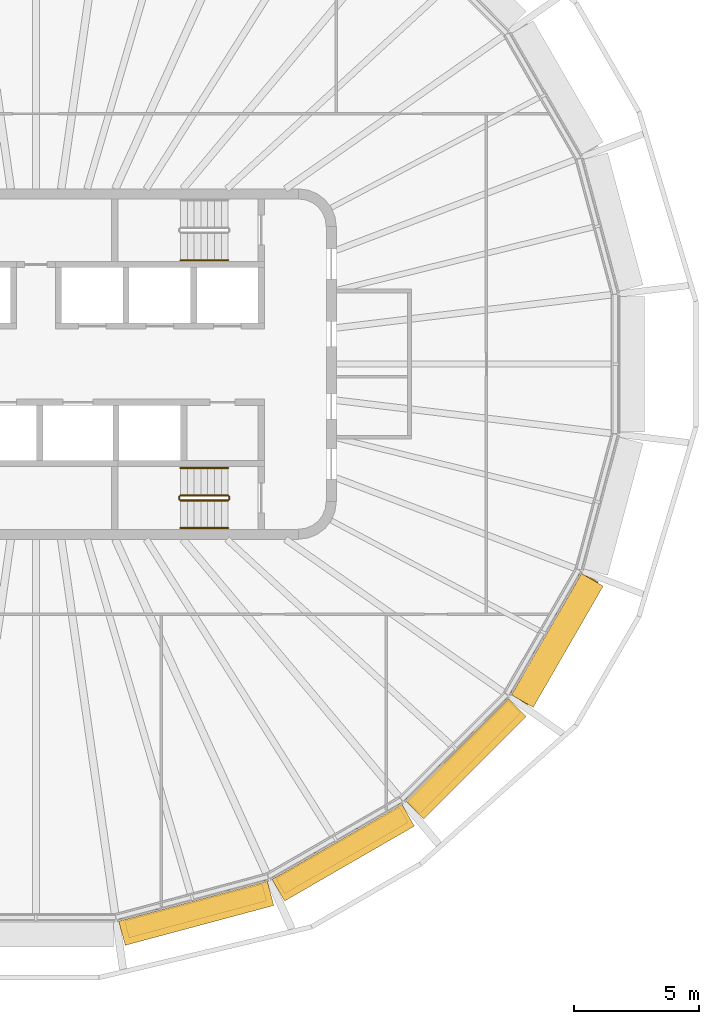
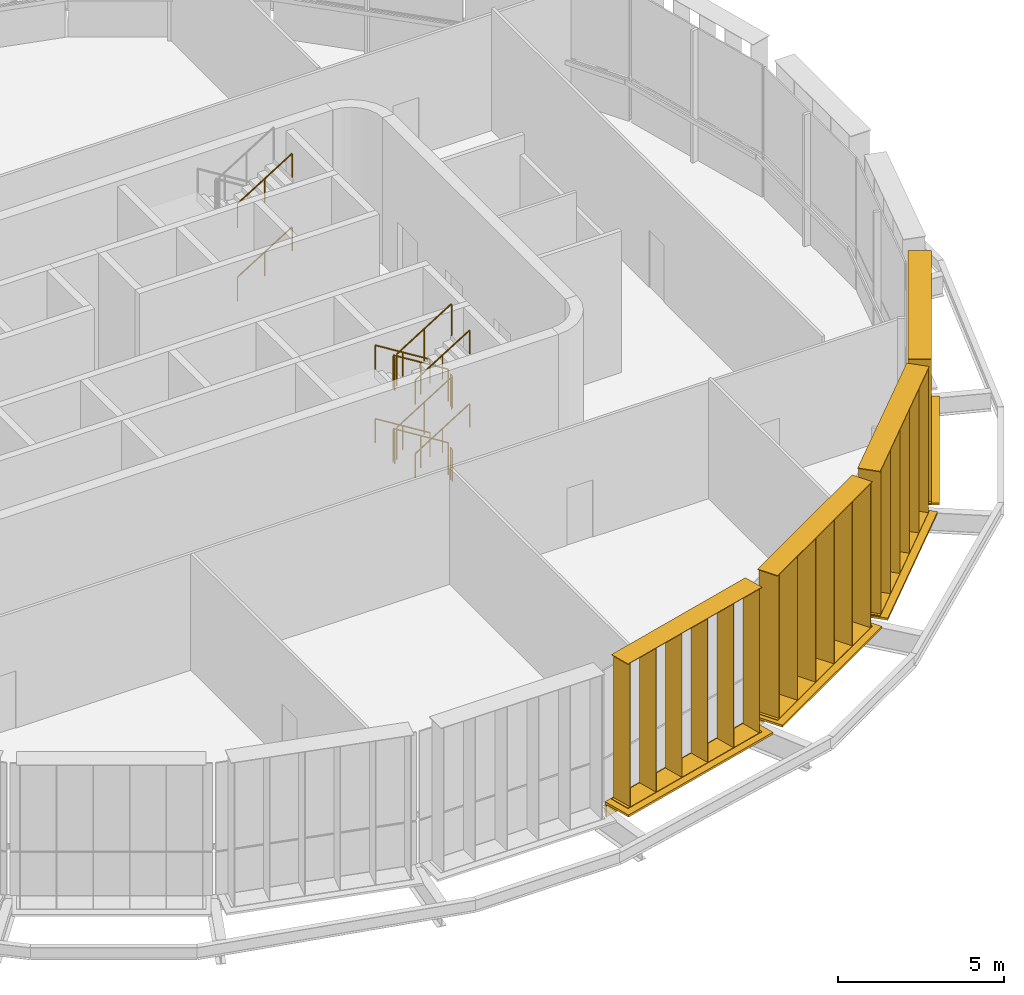
# One storey, part 14 of 16: 14 railings, 8 shading devices.
"""IFC4 building model written with IfcOpenShell, lengths in metres."""

from ifc_helpers import new_model, si_unit, direction, frame, origin, origin_2d, place, context, subcontext, project, spatial, rectangle, circle, extrude, material, type_object, element, save


model = new_model("IFC4")

# Units and contexts
model_context = context("Model", 3, precision=1e-05, world=origin(), true_north=direction((0.0, 1.0)))
body_context = subcontext(model_context, "Body", "Model", "MODEL_VIEW")
ifc_project = project(units=[si_unit("LENGTHUNIT", "METRE"), si_unit("AREAUNIT", "SQUARE_METRE"), si_unit("VOLUMEUNIT", "CUBIC_METRE"), si_unit("PLANEANGLEUNIT", "RADIAN"), si_unit("MASSUNIT", "GRAM", prefix="KILO")], contexts=[model_context])

# Site, building, storey
site_placement = place(None, origin())
site = spatial("IfcSite", under=ifc_project, at=site_placement, CompositionType="ELEMENT")
building_placement = place(site_placement, origin())
building = spatial("IfcBuilding", under=site, at=building_placement, Name="Sahrelin Media Tower", CompositionType="ELEMENT")
storey_placement = place(building_placement, frame((0.0, 0.0, 324.39990234375)))
storey = spatial("IfcBuildingStorey", under=building, at=storey_placement, Name="L72", CompositionType="ELEMENT", Elevation=324.39990234375)

# Shading devices
ifc_material_1 = material(Name="Champagne anodised aluminium 6063-T6", Category="aluminium")
shading_device_type_1 = type_object("IfcShadingDeviceType", Name="Fin cassette", PredefinedType="USERDEFINED", material=ifc_material_1)
placement_1 = place(storey_placement, frame((6.270751953125, -21.447021484375, 0.0), z_axis=(0.0, 0.0, 1.0), x_axis=(-0.965928857556, -0.258807731996, 0.0)))
element("IfcShadingDevice", 1, at=placement_1, inside=storey, type_object=shading_device_type_1, Name="L72:FIN:L72-19", ObjectType="FIN", PredefinedType="USERDEFINED", context=body_context, shape_type="SweptSolid", body=[
    extrude(rectangle(XDim=5.699951171875, YDim=0.699951171875, at=origin_2d()), frame((0.0, 0.419921875, 0.0)), (0.0, 0.0, 1.0), 0.02001953125),
    extrude(rectangle(XDim=5.699951171875, YDim=0.699951171875, at=origin_2d()), frame((0.0, 0.419921875, 5.300048828125)), (0.0, 0.0, 1.0), 0.02001953125),
    extrude(rectangle(XDim=0.02001953125, YDim=0.699951171875, at=origin_2d()), frame((-2.75, 0.419921875, 0.010009765625), z_axis=(0.0, 0.0, 1.0), x_axis=(1.0, 0.0, 0.0)), (0.0, 0.0, 1.0), 5.300048828125),
    extrude(rectangle(XDim=0.02001953125, YDim=0.699951171875, at=origin_2d()), frame((-1.64990234375, 0.419921875, 0.010009765625), z_axis=(0.0, 0.0, 1.0), x_axis=(1.0, 0.0, 0.0)), (0.0, 0.0, 1.0), 5.300048828125),
    extrude(rectangle(XDim=0.02001953125, YDim=0.699951171875, at=origin_2d()), frame((-0.550048828125, 0.419921875, 0.010009765625), z_axis=(0.0, 0.0, 1.0), x_axis=(1.0, 0.0, 0.0)), (0.0, 0.0, 1.0), 5.300048828125),
    extrude(rectangle(XDim=0.02001953125, YDim=0.699951171875, at=origin_2d()), frame((0.550048828125, 0.419921875, 0.010009765625), z_axis=(0.0, 0.0, 1.0), x_axis=(1.0, 0.0, 0.0)), (0.0, 0.0, 1.0), 5.300048828125),
    extrude(rectangle(XDim=0.02001953125, YDim=0.699951171875, at=origin_2d()), frame((1.64990234375, 0.419921875, 0.010009765625), z_axis=(0.0, 0.0, 1.0), x_axis=(1.0, 0.0, 0.0)), (0.0, 0.0, 1.0), 5.300048828125),
    extrude(rectangle(XDim=0.02001953125, YDim=0.699951171875, at=origin_2d()), frame((2.75, 0.419921875, 0.010009765625), z_axis=(0.0, 0.0, 1.0), x_axis=(1.0, 0.0, 0.0)), (0.0, 0.0, 1.0), 5.300048828125),
])
placement_2 = place(storey_placement, frame((12.01904296875, -19.0771484375, 0.0), z_axis=(0.0, 0.0, 1.0), x_axis=(-0.866019052629, -0.500011000363, 0.0)))
element("IfcShadingDevice", 2, at=placement_2, inside=storey, type_object=shading_device_type_1, Name="L72:FIN:L72-20", ObjectType="FIN", PredefinedType="USERDEFINED", context=body_context, shape_type="SweptSolid", body=[
    extrude(rectangle(XDim=5.699951171875, YDim=0.699951171875, at=origin_2d()), frame((0.0, 0.419921875, 0.0)), (0.0, 0.0, 1.0), 0.02001953125),
    extrude(rectangle(XDim=5.699951171875, YDim=0.699951171875, at=origin_2d()), frame((0.0, 0.419921875, 5.300048828125)), (0.0, 0.0, 1.0), 0.02001953125),
    extrude(rectangle(XDim=0.02001953125, YDim=0.699951171875, at=origin_2d()), frame((-2.75, 0.419921875, 0.010009765625), z_axis=(0.0, 0.0, 1.0), x_axis=(1.0, 0.0, 0.0)), (0.0, 0.0, 1.0), 5.300048828125),
    extrude(rectangle(XDim=0.02001953125, YDim=0.699951171875, at=origin_2d()), frame((-1.64990234375, 0.419921875, 0.010009765625), z_axis=(0.0, 0.0, 1.0), x_axis=(1.0, 0.0, 0.0)), (0.0, 0.0, 1.0), 5.300048828125),
    extrude(rectangle(XDim=0.02001953125, YDim=0.699951171875, at=origin_2d()), frame((-0.550048828125, 0.419921875, 0.010009765625), z_axis=(0.0, 0.0, 1.0), x_axis=(1.0, 0.0, 0.0)), (0.0, 0.0, 1.0), 5.300048828125),
    extrude(rectangle(XDim=0.02001953125, YDim=0.699951171875, at=origin_2d()), frame((0.550048828125, 0.419921875, 0.010009765625), z_axis=(0.0, 0.0, 1.0), x_axis=(1.0, 0.0, 0.0)), (0.0, 0.0, 1.0), 5.300048828125),
    extrude(rectangle(XDim=0.02001953125, YDim=0.699951171875, at=origin_2d()), frame((1.64990234375, 0.419921875, 0.010009765625), z_axis=(0.0, 0.0, 1.0), x_axis=(1.0, 0.0, 0.0)), (0.0, 0.0, 1.0), 5.300048828125),
    extrude(rectangle(XDim=0.02001953125, YDim=0.699951171875, at=origin_2d()), frame((2.75, 0.419921875, 0.010009765625), z_axis=(0.0, 0.0, 1.0), x_axis=(1.0, 0.0, 0.0)), (0.0, 0.0, 1.0), 5.300048828125),
])
placement_3 = place(storey_placement, frame((16.818359375, -15.4111328125, 0.0), z_axis=(0.0, 0.0, 1.0), x_axis=(-0.707106781187, -0.707106781187, 0.0)))
element("IfcShadingDevice", 3, at=placement_3, inside=storey, type_object=shading_device_type_1, Name="L72:FIN:L72-21", ObjectType="FIN", PredefinedType="USERDEFINED", context=body_context, shape_type="SweptSolid", body=[
    extrude(rectangle(XDim=5.699951171875, YDim=0.699951171875, at=origin_2d()), frame((0.0, 0.419921875, 0.0)), (0.0, 0.0, 1.0), 0.02001953125),
    extrude(rectangle(XDim=5.699951171875, YDim=0.699951171875, at=origin_2d()), frame((0.0, 0.419921875, 5.300048828125)), (0.0, 0.0, 1.0), 0.02001953125),
    extrude(rectangle(XDim=0.02001953125, YDim=0.699951171875, at=origin_2d()), frame((-2.75, 0.419921875, 0.010009765625), z_axis=(0.0, 0.0, 1.0), x_axis=(1.0, 0.0, 0.0)), (0.0, 0.0, 1.0), 5.300048828125),
    extrude(rectangle(XDim=0.02001953125, YDim=0.699951171875, at=origin_2d()), frame((-1.64990234375, 0.419921875, 0.010009765625), z_axis=(0.0, 0.0, 1.0), x_axis=(1.0, 0.0, 0.0)), (0.0, 0.0, 1.0), 5.300048828125),
    extrude(rectangle(XDim=0.02001953125, YDim=0.699951171875, at=origin_2d()), frame((-0.550048828125, 0.419921875, 0.010009765625), z_axis=(0.0, 0.0, 1.0), x_axis=(1.0, 0.0, 0.0)), (0.0, 0.0, 1.0), 5.300048828125),
    extrude(rectangle(XDim=0.02001953125, YDim=0.699951171875, at=origin_2d()), frame((0.550048828125, 0.419921875, 0.010009765625), z_axis=(0.0, 0.0, 1.0), x_axis=(1.0, 0.0, 0.0)), (0.0, 0.0, 1.0), 5.300048828125),
    extrude(rectangle(XDim=0.02001953125, YDim=0.699951171875, at=origin_2d()), frame((1.64990234375, 0.419921875, 0.010009765625), z_axis=(0.0, 0.0, 1.0), x_axis=(1.0, 0.0, 0.0)), (0.0, 0.0, 1.0), 5.300048828125),
    extrude(rectangle(XDim=0.02001953125, YDim=0.699951171875, at=origin_2d()), frame((2.75, 0.419921875, 0.010009765625), z_axis=(0.0, 0.0, 1.0), x_axis=(1.0, 0.0, 0.0)), (0.0, 0.0, 1.0), 5.300048828125),
])
placement_4 = place(storey_placement, frame((20.385009765625, -10.78369140625, 0.0), z_axis=(0.0, 0.0, 1.0), x_axis=(-0.500011000363, -0.866019052629, 0.0)))
element("IfcShadingDevice", 4, at=placement_4, inside=storey, type_object=shading_device_type_1, Name="L72:FIN:L72-22", ObjectType="FIN", PredefinedType="USERDEFINED", context=body_context, shape_type="SweptSolid", body=[
    extrude(rectangle(XDim=5.699951171875, YDim=0.699951171875, at=origin_2d()), frame((0.0, 0.419921875, 0.0)), (0.0, 0.0, 1.0), 0.02001953125),
    extrude(rectangle(XDim=5.699951171875, YDim=0.699951171875, at=origin_2d()), frame((0.0, 0.419921875, 5.300048828125)), (0.0, 0.0, 1.0), 0.02001953125),
    extrude(rectangle(XDim=0.02001953125, YDim=0.699951171875, at=origin_2d()), frame((-2.75, 0.419921875, 0.010009765625), z_axis=(0.0, 0.0, 1.0), x_axis=(1.0, 0.0, 0.0)), (0.0, 0.0, 1.0), 5.300048828125),
    extrude(rectangle(XDim=0.02001953125, YDim=0.699951171875, at=origin_2d()), frame((-1.64990234375, 0.419921875, 0.010009765625), z_axis=(0.0, 0.0, 1.0), x_axis=(1.0, 0.0, 0.0)), (0.0, 0.0, 1.0), 5.300048828125),
    extrude(rectangle(XDim=0.02001953125, YDim=0.699951171875, at=origin_2d()), frame((-0.550048828125, 0.419921875, 0.010009765625), z_axis=(0.0, 0.0, 1.0), x_axis=(1.0, 0.0, 0.0)), (0.0, 0.0, 1.0), 5.300048828125),
    extrude(rectangle(XDim=0.02001953125, YDim=0.699951171875, at=origin_2d()), frame((0.550048828125, 0.419921875, 0.010009765625), z_axis=(0.0, 0.0, 1.0), x_axis=(1.0, 0.0, 0.0)), (0.0, 0.0, 1.0), 5.300048828125),
    extrude(rectangle(XDim=0.02001953125, YDim=0.699951171875, at=origin_2d()), frame((1.64990234375, 0.419921875, 0.010009765625), z_axis=(0.0, 0.0, 1.0), x_axis=(1.0, 0.0, 0.0)), (0.0, 0.0, 1.0), 5.300048828125),
    extrude(rectangle(XDim=0.02001953125, YDim=0.699951171875, at=origin_2d()), frame((2.75, 0.419921875, 0.010009765625), z_axis=(0.0, 0.0, 1.0), x_axis=(1.0, 0.0, 0.0)), (0.0, 0.0, 1.0), 5.300048828125),
])

# Railings
ifc_material_2 = material(Name="Steel S355", Category="steel")
railing_type_1 = type_object("IfcRailingType", Name="Stair guard 1200", PredefinedType="GUARDRAIL", material=ifc_material_2)
railing_1_placement = place(storey_placement, frame((7.675048828125, -5.25, 0.1689453125)))
element("IfcRailing", 5, at=railing_1_placement, inside=storey, type_object=railing_type_1, Name="L72 ST2 stair guard 1", PredefinedType="GUARDRAIL", context=body_context, shape_type="SweptSolid", body=[
    extrude(circle(Radius=0.02392578125, at=origin_2d()), frame((0.0, 0.0, 1.17578125), z_axis=(-0.849289292259, 0.0, 0.527927739425), x_axis=(0.0, -1.0, 0.0)), (0.0, 0.0, 1.0), 2.2373046875),
    extrude(circle(Radius=0.02099609375, at=origin_2d()), origin(), (0.0, 0.0, 1.0), 1.15185546875),
    extrude(circle(Radius=0.02099609375, at=origin_2d()), frame((-0.9501953125, 0.0, 0.590576171875)), (0.0, 0.0, 1.0), 1.15185546875),
    extrude(circle(Radius=0.02099609375, at=origin_2d()), frame((-1.900146484375, 0.0, 1.18115234375)), (0.0, 0.0, 1.0), 1.15185546875),
])
railing_2_placement = place(storey_placement, frame((5.72509765625, -5.300048828125, 1.35009765625)))
element("IfcRailing", 6, at=railing_2_placement, inside=storey, type_object=railing_type_1, Name="L72 ST2 stair guard 2", PredefinedType="GUARDRAIL", context=body_context, shape_type="SweptSolid", body=[
    extrude(circle(Radius=0.02392578125, at=origin_2d()), frame((0.0, 0.0, 1.17578125), z_axis=(0.0, -1.0, 0.0), x_axis=(1.0, 0.0, 0.0)), (0.0, 0.0, 1.0), 0.099853515625),
    extrude(circle(Radius=0.02099609375, at=origin_2d()), origin(), (0.0, 0.0, 1.0), 1.15185546875),
    extrude(circle(Radius=0.02099609375, at=origin_2d()), frame((0.0, -0.099853515625, 0.0)), (0.0, 0.0, 1.0), 1.15185546875),
])
railing_3_placement = place(storey_placement, frame((5.77490234375, -5.449951171875, 1.518798828125)))
element("IfcRailing", 7, at=railing_3_placement, inside=storey, type_object=railing_type_1, Name="L72 ST2 stair guard 3", PredefinedType="GUARDRAIL", context=body_context, shape_type="SweptSolid", body=[
    extrude(circle(Radius=0.02392578125, at=origin_2d()), frame((0.0, 0.0, 1.17578125), z_axis=(0.849240365539, 0.0, 0.528006440812), x_axis=(0.0, 1.0, 0.0)), (0.0, 0.0, 1.0), 2.237548828125),
    extrude(circle(Radius=0.02099609375, at=origin_2d()), origin(), (0.0, 0.0, 1.0), 1.15185546875),
    extrude(circle(Radius=0.02099609375, at=origin_2d()), frame((0.9501953125, 0.0, 0.5908203125)), (0.0, 0.0, 1.0), 1.15185546875),
    extrude(circle(Radius=0.02099609375, at=origin_2d()), frame((1.900146484375, 0.0, 1.181396484375)), (0.0, 0.0, 1.0), 1.15185546875),
])
railing_4_placement = place(storey_placement, frame((7.72509765625, -5.300048828125, 2.7001953125)))
element("IfcRailing", 8, at=railing_4_placement, inside=storey, type_object=railing_type_1, Name="L72 ST2 stair guard 4", PredefinedType="GUARDRAIL", context=body_context, shape_type="SweptSolid", body=[
    extrude(circle(Radius=0.02392578125, at=origin_2d()), frame((0.0, 0.0, 1.17578125), z_axis=(0.0, -1.0, 0.0), x_axis=(1.0, 0.0, 0.0)), (0.0, 0.0, 1.0), 0.099853515625),
    extrude(circle(Radius=0.02099609375, at=origin_2d()), origin(), (0.0, 0.0, 1.0), 1.15185546875),
    extrude(circle(Radius=0.02099609375, at=origin_2d()), frame((0.0, -0.099853515625, 0.0)), (0.0, 0.0, 1.0), 1.15185546875),
])
railing_5_placement = place(storey_placement, frame((7.675048828125, -5.25, 2.868896484375)))
element("IfcRailing", 9, at=railing_5_placement, inside=storey, type_object=railing_type_1, Name="L72 ST2 stair guard 5", PredefinedType="GUARDRAIL", context=body_context, shape_type="SweptSolid", body=[
    extrude(circle(Radius=0.02392578125, at=origin_2d()), frame((0.0, 0.0, 1.17578125), z_axis=(-0.849289292259, 0.0, 0.527927739425), x_axis=(0.0, -1.0, 0.0)), (0.0, 0.0, 1.0), 2.2373046875),
    extrude(circle(Radius=0.02099609375, at=origin_2d()), origin(), (0.0, 0.0, 1.0), 1.15185546875),
    extrude(circle(Radius=0.02099609375, at=origin_2d()), frame((-0.9501953125, 0.0, 0.590576171875)), (0.0, 0.0, 1.0), 1.15185546875),
    extrude(circle(Radius=0.02099609375, at=origin_2d()), frame((-1.900146484375, 0.0, 1.18115234375)), (0.0, 0.0, 1.0), 1.15185546875),
])
railing_6_placement = place(storey_placement, frame((5.72509765625, -5.300048828125, 4.050048828125)))
element("IfcRailing", 10, at=railing_6_placement, inside=storey, type_object=railing_type_1, Name="L72 ST2 stair guard 6", PredefinedType="GUARDRAIL", context=body_context, shape_type="SweptSolid", body=[
    extrude(circle(Radius=0.02392578125, at=origin_2d()), frame((0.0, 0.0, 1.17578125), z_axis=(0.0, -1.0, 0.0), x_axis=(1.0, 0.0, 0.0)), (0.0, 0.0, 1.0), 0.099853515625),
    extrude(circle(Radius=0.02099609375, at=origin_2d()), origin(), (0.0, 0.0, 1.0), 1.15185546875),
    extrude(circle(Radius=0.02099609375, at=origin_2d()), frame((0.0, -0.099853515625, 0.0)), (0.0, 0.0, 1.0), 1.15185546875),
])
railing_7_placement = place(storey_placement, frame((5.77490234375, -5.449951171875, 4.21875)))
element("IfcRailing", 11, at=railing_7_placement, inside=storey, type_object=railing_type_1, Name="L72 ST2 stair guard 7", PredefinedType="GUARDRAIL", context=body_context, shape_type="SweptSolid", body=[
    extrude(circle(Radius=0.02392578125, at=origin_2d()), frame((0.0, 0.0, 1.17578125), z_axis=(0.849240365539, 0.0, 0.528006440812), x_axis=(0.0, 1.0, 0.0)), (0.0, 0.0, 1.0), 2.237548828125),
    extrude(circle(Radius=0.02099609375, at=origin_2d()), origin(), (0.0, 0.0, 1.0), 1.15185546875),
    extrude(circle(Radius=0.02099609375, at=origin_2d()), frame((0.9501953125, 0.0, 0.5908203125)), (0.0, 0.0, 1.0), 1.15185546875),
    extrude(circle(Radius=0.02099609375, at=origin_2d()), frame((1.900146484375, 0.0, 1.181396484375)), (0.0, 0.0, 1.0), 1.15185546875),
])
railing_8_placement = place(storey_placement, frame((7.72509765625, -5.300048828125, 0.0)))
element("IfcRailing", 12, at=railing_8_placement, inside=storey, type_object=railing_type_1, Name="L72 ST2 stair guard 8", PredefinedType="GUARDRAIL", context=body_context, shape_type="SweptSolid", body=[
    extrude(circle(Radius=0.02392578125, at=origin_2d()), frame((0.0, 0.0, 1.17578125), z_axis=(0.0, -1.0, 0.0), x_axis=(1.0, 0.0, 0.0)), (0.0, 0.0, 1.0), 0.099853515625),
    extrude(circle(Radius=0.02099609375, at=origin_2d()), origin(), (0.0, 0.0, 1.0), 1.15185546875),
    extrude(circle(Radius=0.02099609375, at=origin_2d()), frame((0.0, -0.099853515625, 0.0)), (0.0, 0.0, 1.0), 1.15185546875),
])
railing_type_2 = type_object("IfcRailingType", Name="Stair handrail 900", PredefinedType="HANDRAIL", material=ifc_material_2)
for number, where, name in (
    (13, (5.77490234375, 4.14990234375, 1.518798828125), "L72 ST3 stair handrail 2"),
    (14, (5.77490234375, 4.14990234375, 4.21875), "L72 ST3 stair handrail 4"),
):
    element("IfcRailing", number, at=place(storey_placement, frame(where)), inside=storey, type_object=railing_type_2, Name=name, PredefinedType="HANDRAIL", context=body_context, shape_type="SweptSolid", body=[
        extrude(circle(Radius=0.02392578125, at=origin_2d()), frame((0.0, 0.0, 0.8759765625), z_axis=(0.849240365539, 0.0, 0.528006440812), x_axis=(0.0, 1.0, 0.0)), (0.0, 0.0, 1.0), 2.237548828125),
        extrude(circle(Radius=0.02099609375, at=origin_2d()), origin(), (0.0, 0.0, 1.0), 0.851806640625),
        extrude(circle(Radius=0.02099609375, at=origin_2d()), frame((0.9501953125, 0.0, 0.5908203125)), (0.0, 0.0, 1.0), 0.851806640625),
        extrude(circle(Radius=0.02099609375, at=origin_2d()), frame((1.900146484375, 0.0, 1.181396484375)), (0.0, 0.0, 1.0), 0.851806640625),
    ])
railing_9_placement = place(storey_placement, frame((7.675048828125, -4.14990234375, 0.1689453125)))
element("IfcRailing", 15, at=railing_9_placement, inside=storey, type_object=railing_type_2, Name="L72 ST2 stair handrail 1", PredefinedType="HANDRAIL", context=body_context, shape_type="SweptSolid", body=[
    extrude(circle(Radius=0.02392578125, at=origin_2d()), frame((0.0, 0.0, 0.8759765625), z_axis=(-0.849289292259, 0.0, 0.527927739425), x_axis=(0.0, -1.0, 0.0)), (0.0, 0.0, 1.0), 2.2373046875),
    extrude(circle(Radius=0.02099609375, at=origin_2d()), origin(), (0.0, 0.0, 1.0), 0.851806640625),
    extrude(circle(Radius=0.02099609375, at=origin_2d()), frame((-0.9501953125, 0.0, 0.590576171875)), (0.0, 0.0, 1.0), 0.851806640625),
    extrude(circle(Radius=0.02099609375, at=origin_2d()), frame((-1.900146484375, 0.0, 1.18115234375)), (0.0, 0.0, 1.0), 0.851806640625),
])
railing_10_placement = place(storey_placement, frame((5.77490234375, -6.550048828125, 1.518798828125)))
element("IfcRailing", 16, at=railing_10_placement, inside=storey, type_object=railing_type_2, Name="L72 ST2 stair handrail 2", PredefinedType="HANDRAIL", context=body_context, shape_type="SweptSolid", body=[
    extrude(circle(Radius=0.02392578125, at=origin_2d()), frame((0.0, 0.0, 0.8759765625), z_axis=(0.849240365539, 0.0, 0.528006440812), x_axis=(0.0, 1.0, 0.0)), (0.0, 0.0, 1.0), 2.237548828125),
    extrude(circle(Radius=0.02099609375, at=origin_2d()), origin(), (0.0, 0.0, 1.0), 0.851806640625),
    extrude(circle(Radius=0.02099609375, at=origin_2d()), frame((0.9501953125, 0.0, 0.5908203125)), (0.0, 0.0, 1.0), 0.851806640625),
    extrude(circle(Radius=0.02099609375, at=origin_2d()), frame((1.900146484375, 0.0, 1.181396484375)), (0.0, 0.0, 1.0), 0.851806640625),
])
railing_11_placement = place(storey_placement, frame((7.675048828125, -4.14990234375, 2.868896484375)))
element("IfcRailing", 17, at=railing_11_placement, inside=storey, type_object=railing_type_2, Name="L72 ST2 stair handrail 3", PredefinedType="HANDRAIL", context=body_context, shape_type="SweptSolid", body=[
    extrude(circle(Radius=0.02392578125, at=origin_2d()), frame((0.0, 0.0, 0.8759765625), z_axis=(-0.849289292259, 0.0, 0.527927739425), x_axis=(0.0, -1.0, 0.0)), (0.0, 0.0, 1.0), 2.2373046875),
    extrude(circle(Radius=0.02099609375, at=origin_2d()), origin(), (0.0, 0.0, 1.0), 0.851806640625),
    extrude(circle(Radius=0.02099609375, at=origin_2d()), frame((-0.9501953125, 0.0, 0.590576171875)), (0.0, 0.0, 1.0), 0.851806640625),
    extrude(circle(Radius=0.02099609375, at=origin_2d()), frame((-1.900146484375, 0.0, 1.18115234375)), (0.0, 0.0, 1.0), 0.851806640625),
])
railing_12_placement = place(storey_placement, frame((5.77490234375, -6.550048828125, 4.21875)))
element("IfcRailing", 18, at=railing_12_placement, inside=storey, type_object=railing_type_2, Name="L72 ST2 stair handrail 4", PredefinedType="HANDRAIL", context=body_context, shape_type="SweptSolid", body=[
    extrude(circle(Radius=0.02392578125, at=origin_2d()), frame((0.0, 0.0, 0.8759765625), z_axis=(0.849240365539, 0.0, 0.528006440812), x_axis=(0.0, 1.0, 0.0)), (0.0, 0.0, 1.0), 2.237548828125),
    extrude(circle(Radius=0.02099609375, at=origin_2d()), origin(), (0.0, 0.0, 1.0), 0.851806640625),
    extrude(circle(Radius=0.02099609375, at=origin_2d()), frame((0.9501953125, 0.0, 0.5908203125)), (0.0, 0.0, 1.0), 0.851806640625),
    extrude(circle(Radius=0.02099609375, at=origin_2d()), frame((1.900146484375, 0.0, 1.181396484375)), (0.0, 0.0, 1.0), 0.851806640625),
])

# Shading devices
shading_device_type_2 = type_object("IfcShadingDeviceType", Name="Sunshade band", PredefinedType="USERDEFINED", material=ifc_material_1)
element("IfcShadingDevice", 19, at=placement_1, inside=storey, type_object=shading_device_type_2, Name="L72:SUN:L72-19", ObjectType="SUNSHADE", PredefinedType="USERDEFINED", context=body_context, shape_type="SweptSolid", body=[
    extrude(rectangle(XDim=6.149658203125, YDim=0.050048828125, at=origin_2d()), frame((0.0, 0.044921875, -0.55126953125)), (0.0, 0.0, 1.0), 0.471435546875),
    extrude(rectangle(XDim=6.149658203125, YDim=1.0, at=origin_2d()), frame((0.0, 0.52001953125, -0.080078125)), (0.0, 0.0, 1.0), 0.080078125),
    extrude(rectangle(XDim=0.10009765625, YDim=0.074951171875, at=origin_2d()), frame((-2.974853515625, -0.017578125, -0.47021484375)), (0.0, 0.0, 1.0), 0.300048828125),
    extrude(rectangle(XDim=0.10009765625, YDim=0.074951171875, at=origin_2d()), frame((-1.4873046875, -0.017578125, -0.47021484375)), (0.0, 0.0, 1.0), 0.300048828125),
    extrude(rectangle(XDim=0.10009765625, YDim=0.074951171875, at=origin_2d()), frame((0.0, -0.017578125, -0.47021484375)), (0.0, 0.0, 1.0), 0.300048828125),
    extrude(rectangle(XDim=0.10009765625, YDim=0.074951171875, at=origin_2d()), frame((1.4873046875, -0.017578125, -0.47021484375)), (0.0, 0.0, 1.0), 0.300048828125),
    extrude(rectangle(XDim=0.10009765625, YDim=0.074951171875, at=origin_2d()), frame((2.974853515625, -0.017578125, -0.47021484375)), (0.0, 0.0, 1.0), 0.300048828125),
])
element("IfcShadingDevice", 20, at=placement_2, inside=storey, type_object=shading_device_type_2, Name="L72:SUN:L72-20", ObjectType="SUNSHADE", PredefinedType="USERDEFINED", context=body_context, shape_type="SweptSolid", body=[
    extrude(rectangle(XDim=5.9931640625, YDim=0.050048828125, at=origin_2d()), frame((0.0, 0.044921875, -0.55126953125)), (0.0, 0.0, 1.0), 0.471435546875),
    extrude(rectangle(XDim=5.9931640625, YDim=1.0, at=origin_2d()), frame((0.0, 0.52001953125, -0.080078125)), (0.0, 0.0, 1.0), 0.080078125),
    extrude(rectangle(XDim=0.10009765625, YDim=0.074951171875, at=origin_2d()), frame((-2.896484375, -0.017578125, -0.47021484375)), (0.0, 0.0, 1.0), 0.300048828125),
    extrude(rectangle(XDim=0.10009765625, YDim=0.074951171875, at=origin_2d()), frame((-0.965576171875, -0.017578125, -0.47021484375)), (0.0, 0.0, 1.0), 0.300048828125),
    extrude(rectangle(XDim=0.10009765625, YDim=0.074951171875, at=origin_2d()), frame((0.965576171875, -0.017578125, -0.47021484375)), (0.0, 0.0, 1.0), 0.300048828125),
    extrude(rectangle(XDim=0.10009765625, YDim=0.074951171875, at=origin_2d()), frame((2.896484375, -0.017578125, -0.47021484375)), (0.0, 0.0, 1.0), 0.300048828125),
])
element("IfcShadingDevice", 21, at=placement_3, inside=storey, type_object=shading_device_type_2, Name="L72:SUN:L72-21", ObjectType="SUNSHADE", PredefinedType="USERDEFINED", context=body_context, shape_type="SweptSolid", body=[
    extrude(rectangle(XDim=5.789306640625, YDim=0.050048828125, at=origin_2d()), frame((0.0, 0.044921875, -0.55126953125)), (0.0, 0.0, 1.0), 0.471435546875),
    extrude(rectangle(XDim=5.789306640625, YDim=1.0, at=origin_2d()), frame((0.0, 0.52001953125, -0.080078125)), (0.0, 0.0, 1.0), 0.080078125),
    extrude(rectangle(XDim=0.10009765625, YDim=0.074951171875, at=origin_2d()), frame((-2.794677734375, -0.017578125, -0.47021484375)), (0.0, 0.0, 1.0), 0.300048828125),
    extrude(rectangle(XDim=0.10009765625, YDim=0.074951171875, at=origin_2d()), frame((-0.931640625, -0.017578125, -0.47021484375)), (0.0, 0.0, 1.0), 0.300048828125),
    extrude(rectangle(XDim=0.10009765625, YDim=0.074951171875, at=origin_2d()), frame((0.931640625, -0.017578125, -0.47021484375)), (0.0, 0.0, 1.0), 0.300048828125),
    extrude(rectangle(XDim=0.10009765625, YDim=0.074951171875, at=origin_2d()), frame((2.794677734375, -0.017578125, -0.47021484375)), (0.0, 0.0, 1.0), 0.300048828125),
])
element("IfcShadingDevice", 22, at=placement_4, inside=storey, type_object=shading_device_type_2, Name="L72:SUN:L72-22", ObjectType="SUNSHADE", PredefinedType="USERDEFINED", context=body_context, shape_type="SweptSolid", body=[
    extrude(rectangle(XDim=5.59619140625, YDim=0.050048828125, at=origin_2d()), frame((0.0, 0.044921875, -0.55126953125)), (0.0, 0.0, 1.0), 0.471435546875),
    extrude(rectangle(XDim=5.59619140625, YDim=1.0, at=origin_2d()), frame((0.0, 0.52001953125, -0.080078125)), (0.0, 0.0, 1.0), 0.080078125),
    extrude(rectangle(XDim=0.10009765625, YDim=0.074951171875, at=origin_2d()), frame((-2.697998046875, -0.017578125, -0.47021484375)), (0.0, 0.0, 1.0), 0.300048828125),
    extrude(rectangle(XDim=0.10009765625, YDim=0.074951171875, at=origin_2d()), frame((-0.8994140625, -0.017578125, -0.47021484375)), (0.0, 0.0, 1.0), 0.300048828125),
    extrude(rectangle(XDim=0.10009765625, YDim=0.074951171875, at=origin_2d()), frame((0.8994140625, -0.017578125, -0.47021484375)), (0.0, 0.0, 1.0), 0.300048828125),
    extrude(rectangle(XDim=0.10009765625, YDim=0.074951171875, at=origin_2d()), frame((2.697998046875, -0.017578125, -0.47021484375)), (0.0, 0.0, 1.0), 0.300048828125),
])

save(model, "model.ifc")
